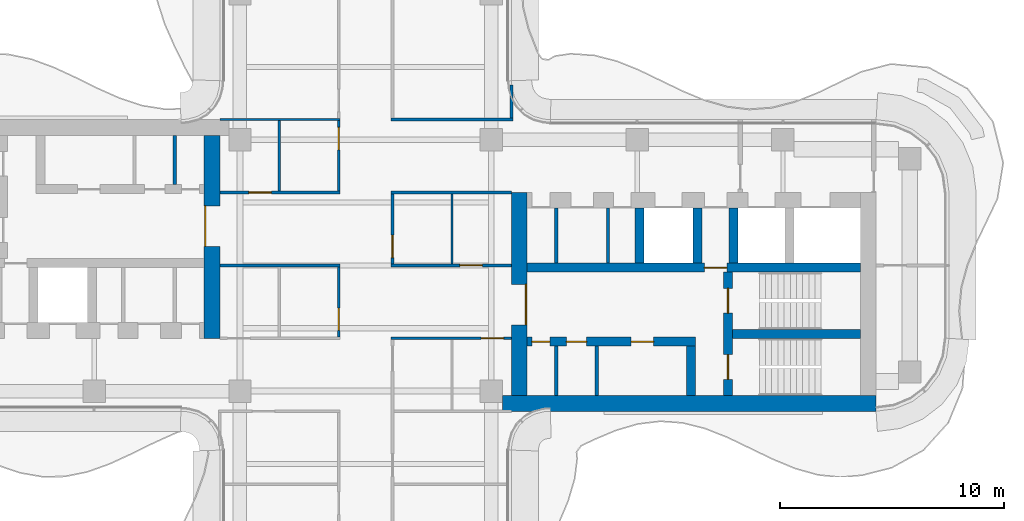
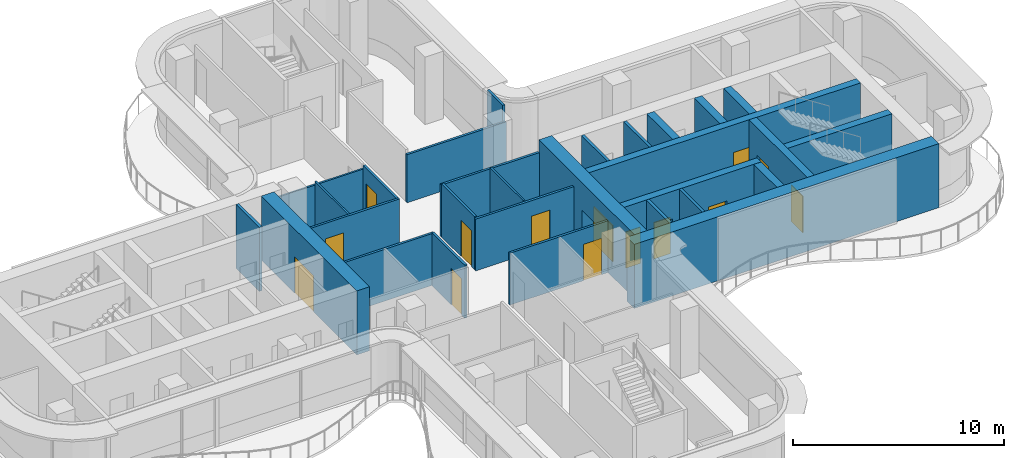
# One storey, part 12 of 16: 29 walls, 14 doors, 14 openings.
"""IFC4 building model written with IfcOpenShell, lengths in metres."""

from ifc_helpers import new_model, si_unit, direction, frame, frame_2d, origin, place, context, subcontext, project, spatial, rectangle, extrude, source, transform, mapped, material, layer, layer_set, type_object, element, fill, save


model = new_model("IFC4")

# Units and contexts
model_context = context("Model", 3, precision=1e-05, world=origin(), true_north=direction((0.0, 1.0)))
body_context = subcontext(model_context, "Body", "Model", "MODEL_VIEW")
ifc_project = project(units=[si_unit("LENGTHUNIT", "METRE"), si_unit("AREAUNIT", "SQUARE_METRE"), si_unit("VOLUMEUNIT", "CUBIC_METRE"), si_unit("PLANEANGLEUNIT", "RADIAN"), si_unit("MASSUNIT", "GRAM", prefix="KILO")], contexts=[model_context])

# Site, building, storey
site_placement = place(None, origin())
site = spatial("IfcSite", under=ifc_project, at=site_placement, CompositionType="ELEMENT")
building_placement = place(site_placement, origin())
building = spatial("IfcBuilding", under=site, at=building_placement, Name="Trellis Farm Tower", CompositionType="ELEMENT")
storey_placement = place(building_placement, frame((0.0, 0.0, 306.699951171875)))
storey = spatial("IfcBuildingStorey", under=building, at=storey_placement, Name="L69", CompositionType="ELEMENT", Elevation=306.699951171875)

# Wall, opening, door
ifc_material_1 = material(Name="Concrete C50/60", Category="concrete")
ifc_layer_1 = layer(ifc_material_1, 0.699951171875)
ifc_layer_set_1 = layer_set([ifc_layer_1], Name="CORE OUTER WALL 700 CONCRETE C50/60")
wall_type_1 = type_object("IfcWallType", Name="CORE OUTER WALL 700 CONCRETE C50/60", PredefinedType="SHEAR", material=ifc_layer_set_1)
shared_shape_1 = source(origin(), body_context, "Body", "SweptSolid", [
    extrude(rectangle(XDim=9.050048828125, YDim=0.699951171875, at=frame_2d((4.52490234375, 0.0))), origin(), (0.0, 0.0, 1.0), 3.699951171875),
])
wall_1_placement = place(storey_placement, frame((6.85009765625, -5.800048828125, 0.0), z_axis=(0.0, 0.0, 1.0), x_axis=(0.0, 1.0, 0.0)))
wall_1 = element("IfcWall", 1, at=wall_1_placement, inside=storey, type_object=wall_type_1, Name="Core wall", PredefinedType="SHEAR", context=body_context, shape_type="MappedRepresentation", body=[
    mapped(shared_shape_1, transform((0.0, 0.0, 0.0))),
])
shared_shape_2 = source(origin(), body_context, "Body", "SweptSolid", [
    extrude(rectangle(XDim=1.800048828125, YDim=2.10009765625, at=frame_2d((0.89990234375, 1.050048828125))), frame((0.0, 0.360107421875, 0.0), z_axis=(0.0, -1.0, 0.0), x_axis=(1.0, 0.0, 0.0)), (0.0, 0.0, 1.0), 0.72021484375),
])
opening_1_placement = place(wall_1_placement, frame((3.14990234375, 0.0, 0.0)))
opening_1 = element("IfcOpeningElement", 2, at=opening_1_placement, cuts=wall_1, Name="Opening DC1", PredefinedType="OPENING", context=body_context, shape_type="MappedRepresentation", body=[
    mapped(shared_shape_2, transform((0.0, 0.0, 0.0))),
])
ifc_material_2 = material(Name="Steel", Category="steel")
door_type_1 = type_object("IfcDoorType", Name="CORE FIRE DOOR DOUBLE 1800 X 2100", OperationType="DOUBLE_DOOR_SINGLE_SWING", PredefinedType="DOOR", material=ifc_material_2)
shared_shape_3 = source(origin(), body_context, "Body", "SweptSolid", [
    extrude(rectangle(XDim=1.800048828125, YDim=2.10009765625, at=frame_2d((0.89990234375, 1.050048828125))), frame((0.0, -0.27490234375, 0.0), z_axis=(0.0, -1.0, 0.0), x_axis=(1.0, 0.0, 0.0)), (0.0, 0.0, 1.0), 0.050048828125),
])
door_1_placement = place(opening_1_placement, origin())
door_1 = element("IfcDoor", 3, at=door_1_placement, inside=storey, type_object=door_type_1, Name="Core door", OperationType="DOUBLE_DOOR_SINGLE_SWING", OverallHeight=2.10009765625, OverallWidth=1.800048828125, PredefinedType="DOOR", context=body_context, shape_type="MappedRepresentation", body=[
    mapped(shared_shape_3, transform((0.0, 0.0, 0.0))),
])
fill(opening_1, door_1)

wall_2_placement = place(storey_placement, frame((-6.85009765625, 5.800048828125, 0.0), z_axis=(0.0, 0.0, 1.0), x_axis=(0.0, -1.0, 0.0)))
wall_2 = element("IfcWall", 4, at=wall_2_placement, inside=storey, type_object=wall_type_1, Name="Core wall", PredefinedType="SHEAR", context=body_context, shape_type="MappedRepresentation", body=[
    mapped(shared_shape_1, transform((0.0, 0.0, 0.0))),
])
opening_2_placement = place(wall_2_placement, frame((3.14990234375, 0.0, 0.0)))
opening_2 = element("IfcOpeningElement", 5, at=opening_2_placement, cuts=wall_2, Name="Opening DC87", PredefinedType="OPENING", context=body_context, shape_type="MappedRepresentation", body=[
    mapped(shared_shape_2, transform((0.0, 0.0, 0.0))),
])
door_2_placement = place(opening_2_placement, origin())
door_2 = element("IfcDoor", 6, at=door_2_placement, inside=storey, type_object=door_type_1, Name="Core door", OperationType="DOUBLE_DOOR_SINGLE_SWING", OverallHeight=2.10009765625, OverallWidth=1.800048828125, PredefinedType="DOOR", context=body_context, shape_type="MappedRepresentation", body=[
    mapped(shared_shape_3, transform((0.0, 0.0, 0.0))),
])
fill(opening_2, door_2)

# Walls
ifc_layer_2 = layer(ifc_material_1, 0.39990234375)
ifc_layer_set_2 = layer_set([ifc_layer_2], Name="CORE INNER WALL 400 CONCRETE C50/60")
wall_type_2 = type_object("IfcWallType", Name="CORE INNER WALL 400 CONCRETE C50/60", PredefinedType="SHEAR", material=ifc_layer_set_2)
shared_shape_4 = source(origin(), body_context, "Body", "SweptSolid", [
    extrude(rectangle(XDim=2.449951171875, YDim=0.39990234375, at=frame_2d((1.22509765625, 0.0))), origin(), (0.0, 0.0, 1.0), 3.699951171875),
])
for number, where, z_axis, x_axis, name in (
    (7, (12.199951171875, 0.10009765625, 0.0), (0.0, 0.0, 1.0), (0.0, 1.0, 0.0), "Core wall"),
    (8, (14.800048828125, 0.10009765625, 0.0), (0.0, 0.0, 1.0), (0.0, 1.0, 0.0), "Core wall"),
    (9, (16.39990234375, 0.10009765625, 0.0), (0.0, 0.0, 1.0), (0.0, 1.0, 0.0), "Core wall"),
):
    element("IfcWall", number, at=place(storey_placement, frame(where, z_axis=z_axis, x_axis=x_axis)), inside=storey, type_object=wall_type_2, Name=name, PredefinedType="SHEAR", context=body_context, shape_type="MappedRepresentation", body=[
        mapped(shared_shape_4, transform((0.0, 0.0, 0.0))),
    ])

# Wall, openings, doors
shared_shape_5 = source(origin(), body_context, "Body", "SweptSolid", [
    extrude(rectangle(XDim=7.5, YDim=0.39990234375, at=frame_2d((3.75, 0.0))), origin(), (0.0, 0.0, 1.0), 3.699951171875),
])
wall_3_placement = place(storey_placement, frame((7.199951171875, -3.39990234375, 0.0), z_axis=(0.0, 0.0, 1.0), x_axis=(1.0, 0.0, 0.0)))
wall_3 = element("IfcWall", 10, at=wall_3_placement, inside=storey, type_object=wall_type_2, Name="Core wall", PredefinedType="SHEAR", context=body_context, shape_type="MappedRepresentation", body=[
    mapped(shared_shape_5, transform((0.0, 0.0, 0.0))),
])
shared_shape_6 = source(origin(), body_context, "Body", "SweptSolid", [
    extrude(rectangle(XDim=0.800048828125, YDim=2.10009765625, at=frame_2d((0.39990234375, 1.050048828125))), frame((0.0, 0.2099609375, 0.0), z_axis=(0.0, -1.0, 0.0), x_axis=(1.0, 0.0, 0.0)), (0.0, 0.0, 1.0), 0.419921875),
])
opening_3_placement = place(wall_3_placement, frame((0.21240234375, 0.0, 0.0)))
opening_3 = element("IfcOpeningElement", 11, at=opening_3_placement, cuts=wall_3, Name="Opening DC51", PredefinedType="OPENING", context=body_context, shape_type="MappedRepresentation", body=[
    mapped(shared_shape_6, transform((0.0, 0.0, 0.0))),
])
shared_shape_7 = source(origin(), body_context, "Body", "SweptSolid", [
    extrude(rectangle(XDim=0.89990234375, YDim=2.10009765625, at=frame_2d((0.449951171875, 1.050048828125))), frame((0.0, 0.2099609375, 0.0), z_axis=(0.0, -1.0, 0.0), x_axis=(1.0, 0.0, 0.0)), (0.0, 0.0, 1.0), 0.419921875),
])
opening_4_placement = place(wall_3_placement, frame((1.75, 0.0, 0.0)))
opening_4 = element("IfcOpeningElement", 12, at=opening_4_placement, cuts=wall_3, Name="Opening DC60", PredefinedType="OPENING", context=body_context, shape_type="MappedRepresentation", body=[
    mapped(shared_shape_7, transform((0.0, 0.0, 0.0))),
])
shared_shape_8 = source(origin(), body_context, "Body", "SweptSolid", [
    extrude(rectangle(XDim=1.0, YDim=2.10009765625, at=frame_2d((0.5, 1.050048828125))), frame((0.0, 0.2099609375, 0.0), z_axis=(0.0, -1.0, 0.0), x_axis=(1.0, 0.0, 0.0)), (0.0, 0.0, 1.0), 0.419921875),
])
opening_5_placement = place(wall_3_placement, frame((4.637451171875, 0.0, 0.0)))
opening_5 = element("IfcOpeningElement", 13, at=opening_5_placement, cuts=wall_3, Name="Opening DC67", PredefinedType="OPENING", context=body_context, shape_type="MappedRepresentation", body=[
    mapped(shared_shape_8, transform((0.0, 0.0, 0.0))),
])
door_type_2 = type_object("IfcDoorType", Name="CORE FIRE DOOR 1000 X 2100", OperationType="NOTDEFINED", PredefinedType="DOOR", material=ifc_material_2)
shared_shape_9 = source(origin(), body_context, "Body", "SweptSolid", [
    extrude(rectangle(XDim=1.0, YDim=2.10009765625, at=frame_2d((0.5, 1.050048828125))), frame((0.0, 0.02490234375, 0.0), z_axis=(0.0, -1.0, 0.0), x_axis=(1.0, 0.0, 0.0)), (0.0, 0.0, 1.0), 0.050048828125),
])
door_3_placement = place(opening_5_placement, origin())
door_3 = element("IfcDoor", 14, at=door_3_placement, inside=storey, type_object=door_type_2, Name="Core door", OperationType="SINGLE_SWING_LEFT", OverallHeight=2.10009765625, OverallWidth=1.0, PredefinedType="DOOR", context=body_context, shape_type="MappedRepresentation", body=[
    mapped(shared_shape_9, transform((0.0, 0.0, 0.0))),
])
fill(opening_5, door_3)
door_type_3 = type_object("IfcDoorType", Name="CORE FIRE DOOR 900 X 2100", OperationType="NOTDEFINED", PredefinedType="DOOR", material=ifc_material_2)
shared_shape_10 = source(origin(), body_context, "Body", "SweptSolid", [
    extrude(rectangle(XDim=0.89990234375, YDim=2.10009765625, at=frame_2d((0.449951171875, 1.050048828125))), frame((0.0, 0.02490234375, 0.0), z_axis=(0.0, -1.0, 0.0), x_axis=(1.0, 0.0, 0.0)), (0.0, 0.0, 1.0), 0.050048828125),
])
door_4_placement = place(opening_4_placement, origin())
door_4 = element("IfcDoor", 15, at=door_4_placement, inside=storey, type_object=door_type_3, Name="Core door", OperationType="SINGLE_SWING_RIGHT", OverallHeight=2.10009765625, OverallWidth=0.89990234375, PredefinedType="DOOR", context=body_context, shape_type="MappedRepresentation", body=[
    mapped(shared_shape_10, transform((0.0, 0.0, 0.0))),
])
fill(opening_4, door_4)
door_type_4 = type_object("IfcDoorType", Name="CORE FIRE DOOR 800 X 2100", OperationType="NOTDEFINED", PredefinedType="DOOR", material=ifc_material_2)
shared_shape_11 = source(origin(), body_context, "Body", "SweptSolid", [
    extrude(rectangle(XDim=0.800048828125, YDim=2.10009765625, at=frame_2d((0.39990234375, 1.050048828125))), frame((0.0, 0.02490234375, 0.0), z_axis=(0.0, -1.0, 0.0), x_axis=(1.0, 0.0, 0.0)), (0.0, 0.0, 1.0), 0.050048828125),
])
door_5_placement = place(opening_3_placement, origin())
door_5 = element("IfcDoor", 16, at=door_5_placement, inside=storey, type_object=door_type_4, Name="Core door", OperationType="SINGLE_SWING_LEFT", OverallHeight=2.10009765625, OverallWidth=0.800048828125, PredefinedType="DOOR", context=body_context, shape_type="MappedRepresentation", body=[
    mapped(shared_shape_11, transform((0.0, 0.0, 0.0))),
])
fill(opening_3, door_5)

# Wall, opening, door
shared_shape_12 = source(origin(), body_context, "Body", "SweptSolid", [
    extrude(rectangle(XDim=14.85009765625, YDim=0.39990234375, at=frame_2d((7.425048828125, 0.0))), origin(), (0.0, 0.0, 1.0), 3.699951171875),
])
wall_4_placement = place(storey_placement, frame((7.199951171875, -0.10009765625, 0.0), z_axis=(0.0, 0.0, 1.0), x_axis=(1.0, 0.0, 0.0)))
wall_4 = element("IfcWall", 17, at=wall_4_placement, inside=storey, type_object=wall_type_2, Name="Core wall", PredefinedType="SHEAR", context=body_context, shape_type="MappedRepresentation", body=[
    mapped(shared_shape_12, transform((0.0, 0.0, 0.0))),
])
opening_6_placement = place(wall_4_placement, frame((7.89990234375, 0.0, 0.0)))
opening_6 = element("IfcOpeningElement", 18, at=opening_6_placement, cuts=wall_4, Name="Opening DC5", PredefinedType="OPENING", context=body_context, shape_type="MappedRepresentation", body=[
    mapped(shared_shape_8, transform((0.0, 0.0, 0.0))),
])
door_6_placement = place(opening_6_placement, origin())
door_6 = element("IfcDoor", 19, at=door_6_placement, inside=storey, type_object=door_type_2, Name="Core door", OperationType="SINGLE_SWING_RIGHT", OverallHeight=2.10009765625, OverallWidth=1.0, PredefinedType="DOOR", context=body_context, shape_type="MappedRepresentation", body=[
    mapped(shared_shape_9, transform((0.0, 0.0, 0.0))),
])
fill(opening_6, door_6)

# Wall, openings, doors
shared_shape_13 = source(origin(), body_context, "Body", "SweptSolid", [
    extrude(rectangle(XDim=5.5, YDim=0.39990234375, at=frame_2d((2.75, 0.0))), origin(), (0.0, 0.0, 1.0), 3.699951171875),
])
wall_5_placement = place(storey_placement, frame((16.14990234375, -5.800048828125, 0.0), z_axis=(0.0, 0.0, 1.0), x_axis=(0.0, 1.0, 0.0)))
wall_5 = element("IfcWall", 20, at=wall_5_placement, inside=storey, type_object=wall_type_2, Name="Core wall", PredefinedType="SHEAR", context=body_context, shape_type="MappedRepresentation", body=[
    mapped(shared_shape_13, transform((0.0, 0.0, 0.0))),
])
shared_shape_14 = source(origin(), body_context, "Body", "SweptSolid", [
    extrude(rectangle(XDim=1.10009765625, YDim=2.10009765625, at=frame_2d((0.550048828125, 1.050048828125))), frame((0.0, 0.2099609375, 0.0), z_axis=(0.0, -1.0, 0.0), x_axis=(1.0, 0.0, 0.0)), (0.0, 0.0, 1.0), 0.419921875),
])
opening_7_placement = place(wall_5_placement, frame((0.72509765625, 0.0, 0.0)))
opening_7 = element("IfcOpeningElement", 21, at=opening_7_placement, cuts=wall_5, Name="Opening DC2", PredefinedType="OPENING", context=body_context, shape_type="MappedRepresentation", body=[
    mapped(shared_shape_14, transform((0.0, 0.0, 0.0))),
])
opening_8_placement = place(wall_5_placement, frame((3.675048828125, 0.0, 0.0)))
opening_8 = element("IfcOpeningElement", 22, at=opening_8_placement, cuts=wall_5, Name="Opening DC3", PredefinedType="OPENING", context=body_context, shape_type="MappedRepresentation", body=[
    mapped(shared_shape_14, transform((0.0, 0.0, 0.0))),
])
door_type_5 = type_object("IfcDoorType", Name="CORE FIRE DOOR 1100 X 2100", OperationType="NOTDEFINED", PredefinedType="DOOR", material=ifc_material_2)
shared_shape_15 = source(origin(), body_context, "Body", "SweptSolid", [
    extrude(rectangle(XDim=1.10009765625, YDim=2.10009765625, at=frame_2d((0.550048828125, 1.050048828125))), frame((0.0, 0.02490234375, 0.0), z_axis=(0.0, -1.0, 0.0), x_axis=(1.0, 0.0, 0.0)), (0.0, 0.0, 1.0), 0.050048828125),
])
door_7_placement = place(opening_7_placement, origin())
door_7 = element("IfcDoor", 23, at=door_7_placement, inside=storey, type_object=door_type_5, Name="Core door", OperationType="SINGLE_SWING_RIGHT", OverallHeight=2.10009765625, OverallWidth=1.10009765625, PredefinedType="DOOR", context=body_context, shape_type="MappedRepresentation", body=[
    mapped(shared_shape_15, transform((0.0, 0.0, 0.0))),
])
fill(opening_7, door_7)
door_8_placement = place(opening_8_placement, origin())
door_8 = element("IfcDoor", 24, at=door_8_placement, inside=storey, type_object=door_type_5, Name="Core door", OperationType="SINGLE_SWING_LEFT", OverallHeight=2.10009765625, OverallWidth=1.10009765625, PredefinedType="DOOR", context=body_context, shape_type="MappedRepresentation", body=[
    mapped(shared_shape_15, transform((0.0, 0.0, 0.0))),
])
fill(opening_8, door_8)

# Walls
shared_shape_16 = source(origin(), body_context, "Body", "SweptSolid", [
    extrude(rectangle(XDim=5.699951171875, YDim=0.39990234375, at=frame_2d((2.85009765625, 0.0))), origin(), (0.0, 0.0, 1.0), 3.699951171875),
])
wall_6_placement = place(storey_placement, frame((16.35009765625, -3.050048828125, 0.0), z_axis=(0.0, 0.0, 1.0), x_axis=(1.0, 0.0, 0.0)))
element("IfcWall", 25, at=wall_6_placement, inside=storey, type_object=wall_type_2, Name="Core wall", PredefinedType="SHEAR", context=body_context, shape_type="MappedRepresentation", body=[
    mapped(shared_shape_16, transform((0.0, 0.0, 0.0))),
])
shared_shape_17 = source(origin(), body_context, "Body", "SweptSolid", [
    extrude(rectangle(XDim=2.199951171875, YDim=0.39990234375, at=frame_2d((1.10009765625, 0.0))), origin(), (0.0, 0.0, 1.0), 3.699951171875),
])
wall_7_placement = place(storey_placement, frame((14.5, -5.800048828125, 0.0), z_axis=(0.0, 0.0, 1.0), x_axis=(0.0, 1.0, 0.0)))
element("IfcWall", 26, at=wall_7_placement, inside=storey, type_object=wall_type_2, Name="Core wall", PredefinedType="SHEAR", context=body_context, shape_type="MappedRepresentation", body=[
    mapped(shared_shape_17, transform((0.0, 0.0, 0.0))),
])
ifc_material_3 = material(Name="Masonry blockwork", Category="masonry")
ifc_layer_3 = layer(ifc_material_3, 0.14990234375)
ifc_layer_set_3 = layer_set([ifc_layer_3], Name="CORE PARTITION 150 BLOCKWORK")
wall_type_3 = type_object("IfcWallType", Name="CORE PARTITION 150 BLOCKWORK", PredefinedType="PARTITIONING", material=ifc_layer_set_3)
shared_shape_18 = source(origin(), body_context, "Body", "SweptSolid", [
    extrude(rectangle(XDim=2.199951171875, YDim=0.14990234375, at=frame_2d((1.10009765625, 0.0))), origin(), (0.0, 0.0, 1.0), 3.699951171875),
])
for number, where, z_axis, x_axis, name in (
    (27, (8.5, -5.800048828125, 0.0), (0.0, 0.0, 1.0), (0.0, 1.0, 0.0), "Core room partition"),
    (28, (10.300048828125, -5.800048828125, 0.0), (0.0, 0.0, 1.0), (0.0, 1.0, 0.0), "Core room partition"),
    (29, (-8.5, 5.800048828125, 0.0), (0.0, 0.0, 1.0), (0.0, -1.0, 0.0), "Core room partition"),
):
    element("IfcWall", number, at=place(storey_placement, frame(where, z_axis=z_axis, x_axis=x_axis)), inside=storey, type_object=wall_type_3, Name=name, PredefinedType="PARTITIONING", context=body_context, shape_type="MappedRepresentation", body=[
        mapped(shared_shape_18, transform((0.0, 0.0, 0.0))),
    ])
shared_shape_19 = source(origin(), body_context, "Body", "SweptSolid", [
    extrude(rectangle(XDim=16.64990234375, YDim=0.699951171875, at=frame_2d((8.324951171875, 0.0))), origin(), (0.0, 0.0, 1.0), 3.699951171875),
])
wall_8_placement = place(storey_placement, frame((6.10009765625, -6.14990234375, 0.0), z_axis=(0.0, 0.0, 1.0), x_axis=(1.0, 0.0, 0.0)))
element("IfcWall", 30, at=wall_8_placement, inside=storey, type_object=wall_type_1, Name="Core wall", PredefinedType="SHEAR", context=body_context, shape_type="MappedRepresentation", body=[
    mapped(shared_shape_19, transform((0.0, 0.0, 0.0))),
])
shared_shape_20 = source(origin(), body_context, "Body", "SweptSolid", [
    extrude(rectangle(XDim=2.449951171875, YDim=0.14990234375, at=frame_2d((1.22509765625, 0.0))), origin(), (0.0, 0.0, 1.0), 3.699951171875),
])
for number, where, z_axis, x_axis, name in (
    (31, (8.5, 0.10009765625, 0.0), (0.0, 0.0, 1.0), (0.0, 1.0, 0.0), "Core room partition"),
    (32, (10.800048828125, 0.10009765625, 0.0), (0.0, 0.0, 1.0), (0.0, 1.0, 0.0), "Core room partition"),
):
    element("IfcWall", number, at=place(storey_placement, frame(where, z_axis=z_axis, x_axis=x_axis)), inside=storey, type_object=wall_type_3, Name=name, PredefinedType="PARTITIONING", context=body_context, shape_type="MappedRepresentation", body=[
        mapped(shared_shape_20, transform((0.0, 0.0, 0.0))),
    ])

# Wall, opening, door
ifc_material_4 = material(Name="Plasterboard on steel studs, mineral wool", Category="steel")
ifc_layer_4 = layer(ifc_material_4, 0.125)
ifc_layer_set_4 = layer_set([ifc_layer_4], Name="PARTITION 125 STUD EI 60")
wall_type_4 = type_object("IfcWallType", Name="PARTITION 125 STUD EI 60", PredefinedType="PARTITIONING", material=ifc_layer_set_4)
shared_shape_21 = source(origin(), body_context, "Body", "SweptSolid", [
    extrude(rectangle(XDim=3.137451171875, YDim=0.125, at=frame_2d((1.56884765625, 0.0))), origin(), (0.0, 0.0, 1.0), 2.99658203125),
])
wall_9_placement = place(storey_placement, frame((-1.199951171875, 6.449951171875, 0.0), z_axis=(0.0, 0.0, 1.0), x_axis=(0.0, -1.0, 0.0)))
wall_9 = element("IfcWall", 33, at=wall_9_placement, inside=storey, type_object=wall_type_4, Name="Partition PW1", PredefinedType="PARTITIONING", context=body_context, shape_type="MappedRepresentation", body=[
    mapped(shared_shape_21, transform((0.0, 0.0, 0.0))),
])
shared_shape_22 = source(origin(), body_context, "Body", "SweptSolid", [
    extrude(rectangle(XDim=1.0, YDim=2.10009765625, at=frame_2d((0.5, 1.050048828125))), frame((0.0, 0.072509765625, 0.0), z_axis=(0.0, -1.0, 0.0), x_axis=(1.0, 0.0, 0.0)), (0.0, 0.0, 1.0), 0.14501953125),
])
opening_9_placement = place(wall_9_placement, frame((0.300048828125, 0.0, 0.0)))
opening_9 = element("IfcOpeningElement", 34, at=opening_9_placement, cuts=wall_9, Name="Opening D113", PredefinedType="OPENING", context=body_context, shape_type="MappedRepresentation", body=[
    mapped(shared_shape_22, transform((0.0, 0.0, 0.0))),
])
ifc_material_5 = material(Name="Fire-rated timber door leaf in a hollow metal frame", Category="wood")
door_type_6 = type_object("IfcDoorType", Name="DOOR 1000x2100 FD30S", OperationType="NOTDEFINED", PredefinedType="DOOR", material=ifc_material_5)
door_9_placement = place(opening_9_placement, origin())
door_9 = element("IfcDoor", 35, at=door_9_placement, inside=storey, type_object=door_type_6, Name="Door D113", OperationType="SINGLE_SWING_LEFT", OverallHeight=2.10009765625, OverallWidth=1.0, PredefinedType="DOOR", context=body_context, shape_type="MappedRepresentation", body=[
    mapped(shared_shape_9, transform((0.0, 0.0, 0.0))),
])
fill(opening_9, door_9)

shared_shape_23 = source(origin(), body_context, "Body", "SweptSolid", [
    extrude(rectangle(XDim=3.125, YDim=0.125, at=frame_2d((1.5625, 0.0))), origin(), (0.0, 0.0, 1.0), 3.06787109375),
])
wall_10_placement = place(storey_placement, frame((-1.199951171875, -0.0625, 0.0), z_axis=(0.0, 0.0, 1.0), x_axis=(0.0, -1.0, 0.0)))
wall_10 = element("IfcWall", 36, at=wall_10_placement, inside=storey, type_object=wall_type_4, Name="Partition PW1", PredefinedType="PARTITIONING", context=body_context, shape_type="MappedRepresentation", body=[
    mapped(shared_shape_23, transform((0.0, 0.0, 0.0))),
])
opening_10_placement = place(wall_10_placement, frame((1.83740234375, 0.0, 0.0)))
opening_10 = element("IfcOpeningElement", 37, at=opening_10_placement, cuts=wall_10, Name="Opening D107", PredefinedType="OPENING", context=body_context, shape_type="MappedRepresentation", body=[
    mapped(shared_shape_22, transform((0.0, 0.0, 0.0))),
])
door_10_placement = place(opening_10_placement, origin())
door_10 = element("IfcDoor", 38, at=door_10_placement, inside=storey, type_object=door_type_6, Name="Door D107", OperationType="SINGLE_SWING_RIGHT", OverallHeight=2.10009765625, OverallWidth=1.0, PredefinedType="DOOR", context=body_context, shape_type="MappedRepresentation", body=[
    mapped(shared_shape_9, transform((0.0, 0.0, 0.0))),
])
fill(opening_10, door_10)

wall_11_placement = place(storey_placement, frame((1.199951171875, 3.1875, 0.0), z_axis=(0.0, 0.0, 1.0), x_axis=(0.0, -1.0, 0.0)))
wall_11 = element("IfcWall", 39, at=wall_11_placement, inside=storey, type_object=wall_type_4, Name="Partition PW1", PredefinedType="PARTITIONING", context=body_context, shape_type="MappedRepresentation", body=[
    mapped(shared_shape_23, transform((0.0, 0.0, 0.0))),
])
opening_11_placement = place(wall_11_placement, frame((1.83740234375, 0.0, 0.0)))
opening_11 = element("IfcOpeningElement", 40, at=opening_11_placement, cuts=wall_11, Name="Opening D111", PredefinedType="OPENING", context=body_context, shape_type="MappedRepresentation", body=[
    mapped(shared_shape_22, transform((0.0, 0.0, 0.0))),
])
door_11_placement = place(opening_11_placement, origin())
door_11 = element("IfcDoor", 41, at=door_11_placement, inside=storey, type_object=door_type_6, Name="Door D111", OperationType="SINGLE_SWING_RIGHT", OverallHeight=2.10009765625, OverallWidth=1.0, PredefinedType="DOOR", context=body_context, shape_type="MappedRepresentation", body=[
    mapped(shared_shape_9, transform((0.0, 0.0, 0.0))),
])
fill(opening_11, door_11)

# Wall
shared_shape_24 = source(origin(), body_context, "Body", "SweptSolid", [
    extrude(rectangle(XDim=1.468994140625, YDim=0.125, at=frame_2d((0.734375, 0.0))), origin(), (0.0, 0.0, 1.0), 3.699951171875),
])
wall_12_placement = place(storey_placement, frame((6.5, 6.5625, 0.0), z_axis=(0.0, 0.0, 1.0), x_axis=(0.0, 1.0, 0.0)))
element("IfcWall", 42, at=wall_12_placement, inside=storey, type_object=wall_type_4, Name="Partition PW1", PredefinedType="PARTITIONING", context=body_context, shape_type="MappedRepresentation", body=[
    mapped(shared_shape_24, transform((0.0, 0.0, 0.0))),
])

# Wall, opening, door
shared_shape_25 = source(origin(), body_context, "Body", "SweptSolid", [
    extrude(rectangle(XDim=5.362548828125, YDim=0.125, at=frame_2d((2.68115234375, 0.0))), origin(), (0.0, 0.0, 1.0), 2.99658203125),
])
wall_13_placement = place(storey_placement, frame((6.5, -3.25, 0.0), z_axis=(0.0, 0.0, 1.0), x_axis=(-1.0, 0.0, 0.0)))
wall_13 = element("IfcWall", 43, at=wall_13_placement, inside=storey, type_object=wall_type_4, Name="Partition PW1", PredefinedType="PARTITIONING", context=body_context, shape_type="MappedRepresentation", body=[
    mapped(shared_shape_25, transform((0.0, 0.0, 0.0))),
])
opening_12_placement = place(wall_13_placement, frame((0.35009765625, 0.0, 0.0)))
opening_12 = element("IfcOpeningElement", 44, at=opening_12_placement, cuts=wall_13, Name="Opening D106", PredefinedType="OPENING", context=body_context, shape_type="MappedRepresentation", body=[
    mapped(shared_shape_22, transform((0.0, 0.0, 0.0))),
])
door_12_placement = place(opening_12_placement, origin())
door_12 = element("IfcDoor", 45, at=door_12_placement, inside=storey, type_object=door_type_6, Name="Door D106", OperationType="SINGLE_SWING_LEFT", OverallHeight=2.10009765625, OverallWidth=1.0, PredefinedType="DOOR", context=body_context, shape_type="MappedRepresentation", body=[
    mapped(shared_shape_9, transform((0.0, 0.0, 0.0))),
])
fill(opening_12, door_12)

# Wall
wall_14_placement = place(storey_placement, frame((-1.137451171875, 0.0, 0.0), z_axis=(0.0, 0.0, 1.0), x_axis=(-1.0, 0.0, 0.0)))
element("IfcWall", 46, at=wall_14_placement, inside=storey, type_object=wall_type_4, Name="Partition PW1", PredefinedType="PARTITIONING", context=body_context, shape_type="MappedRepresentation", body=[
    mapped(shared_shape_25, transform((0.0, 0.0, 0.0))),
])

# Wall, opening, door
wall_15_placement = place(storey_placement, frame((6.5, 0.0, 0.0), z_axis=(0.0, 0.0, 1.0), x_axis=(-1.0, 0.0, 0.0)))
wall_15 = element("IfcWall", 47, at=wall_15_placement, inside=storey, type_object=wall_type_4, Name="Partition PW1", PredefinedType="PARTITIONING", context=body_context, shape_type="MappedRepresentation", body=[
    mapped(shared_shape_25, transform((0.0, 0.0, 0.0))),
])
opening_13_placement = place(wall_15_placement, frame((1.300048828125, 0.0, 0.0)))
opening_13 = element("IfcOpeningElement", 48, at=opening_13_placement, cuts=wall_15, Name="Opening D109", PredefinedType="OPENING", context=body_context, shape_type="MappedRepresentation", body=[
    mapped(shared_shape_22, transform((0.0, 0.0, 0.0))),
])
door_13_placement = place(opening_13_placement, origin())
door_13 = element("IfcDoor", 49, at=door_13_placement, inside=storey, type_object=door_type_6, Name="Door D109", OperationType="SINGLE_SWING_RIGHT", OverallHeight=2.10009765625, OverallWidth=1.0, PredefinedType="DOOR", context=body_context, shape_type="MappedRepresentation", body=[
    mapped(shared_shape_9, transform((0.0, 0.0, 0.0))),
])
fill(opening_13, door_13)

wall_16_placement = place(storey_placement, frame((-6.5, 3.25, 0.0), z_axis=(0.0, 0.0, 1.0), x_axis=(1.0, 0.0, 0.0)))
wall_16 = element("IfcWall", 50, at=wall_16_placement, inside=storey, type_object=wall_type_4, Name="Partition PW1", PredefinedType="PARTITIONING", context=body_context, shape_type="MappedRepresentation", body=[
    mapped(shared_shape_25, transform((0.0, 0.0, 0.0))),
])
opening_14_placement = place(wall_16_placement, frame((1.300048828125, 0.0, 0.0)))
opening_14 = element("IfcOpeningElement", 51, at=opening_14_placement, cuts=wall_16, Name="Opening D112", PredefinedType="OPENING", context=body_context, shape_type="MappedRepresentation", body=[
    mapped(shared_shape_22, transform((0.0, 0.0, 0.0))),
])
door_14_placement = place(opening_14_placement, origin())
door_14 = element("IfcDoor", 52, at=door_14_placement, inside=storey, type_object=door_type_6, Name="Door D112", OperationType="SINGLE_SWING_RIGHT", OverallHeight=2.10009765625, OverallWidth=1.0, PredefinedType="DOOR", context=body_context, shape_type="MappedRepresentation", body=[
    mapped(shared_shape_9, transform((0.0, 0.0, 0.0))),
])
fill(opening_14, door_14)

# Walls
wall_17_placement = place(storey_placement, frame((1.137451171875, 3.25, 0.0), z_axis=(0.0, 0.0, 1.0), x_axis=(1.0, 0.0, 0.0)))
element("IfcWall", 53, at=wall_17_placement, inside=storey, type_object=wall_type_4, Name="Partition PW1", PredefinedType="PARTITIONING", context=body_context, shape_type="MappedRepresentation", body=[
    mapped(shared_shape_25, transform((0.0, 0.0, 0.0))),
])
ifc_material_6 = material(Name="Plasterboard on steel studs", Category="steel")
ifc_layer_5 = layer(ifc_material_6, 0.10009765625)
ifc_layer_set_5 = layer_set([ifc_layer_5], Name="PARTITION 100 STUD EI 30")
wall_type_5 = type_object("IfcWallType", Name="PARTITION 100 STUD EI 30", PredefinedType="PARTITIONING", material=ifc_layer_set_5)
shared_shape_26 = source(origin(), body_context, "Body", "SweptSolid", [
    extrude(rectangle(XDim=5.362548828125, YDim=0.10009765625, at=frame_2d((2.68115234375, 0.0))), origin(), (0.0, 0.0, 1.0), 2.780029296875),
])
wall_18_placement = place(storey_placement, frame((-6.5, 6.5, 0.0), z_axis=(0.0, 0.0, 1.0), x_axis=(1.0, 0.0, 0.0)))
element("IfcWall", 54, at=wall_18_placement, inside=storey, type_object=wall_type_5, Name="Partition PW2", PredefinedType="PARTITIONING", context=body_context, shape_type="MappedRepresentation", body=[
    mapped(shared_shape_26, transform((0.0, 0.0, 0.0))),
])
shared_shape_27 = source(origin(), body_context, "Body", "SweptSolid", [
    extrude(rectangle(XDim=5.425048828125, YDim=0.125, at=frame_2d((2.71240234375, 0.0))), origin(), (0.0, 0.0, 1.0), 2.780029296875),
])
wall_19_placement = place(storey_placement, frame((1.137451171875, 6.5, 0.0), z_axis=(0.0, 0.0, 1.0), x_axis=(1.0, 0.0, 0.0)))
element("IfcWall", 55, at=wall_19_placement, inside=storey, type_object=wall_type_4, Name="Partition PW1", PredefinedType="PARTITIONING", context=body_context, shape_type="MappedRepresentation", body=[
    mapped(shared_shape_27, transform((0.0, 0.0, 0.0))),
])
shared_shape_28 = source(origin(), body_context, "Body", "SweptSolid", [
    extrude(rectangle(XDim=3.137451171875, YDim=0.10009765625, at=frame_2d((1.56884765625, 0.0))), origin(), (0.0, 0.0, 1.0), 2.99658203125),
])
wall_20_placement = place(storey_placement, frame((-3.85009765625, 3.3125, 0.0), z_axis=(0.0, 0.0, 1.0), x_axis=(0.0, 1.0, 0.0)))
element("IfcWall", 56, at=wall_20_placement, inside=storey, type_object=wall_type_5, Name="Partition PW2", PredefinedType="PARTITIONING", context=body_context, shape_type="MappedRepresentation", body=[
    mapped(shared_shape_28, transform((0.0, 0.0, 0.0))),
])
shared_shape_29 = source(origin(), body_context, "Body", "SweptSolid", [
    extrude(rectangle(XDim=3.125, YDim=0.10009765625, at=frame_2d((1.5625, 0.0))), origin(), (0.0, 0.0, 1.0), 3.06787109375),
])
wall_21_placement = place(storey_placement, frame((3.85009765625, 0.0625, 0.0), z_axis=(0.0, 0.0, 1.0), x_axis=(0.0, 1.0, 0.0)))
element("IfcWall", 57, at=wall_21_placement, inside=storey, type_object=wall_type_5, Name="Partition PW2", PredefinedType="PARTITIONING", context=body_context, shape_type="MappedRepresentation", body=[
    mapped(shared_shape_29, transform((0.0, 0.0, 0.0))),
])

save(model, "model.ifc")
